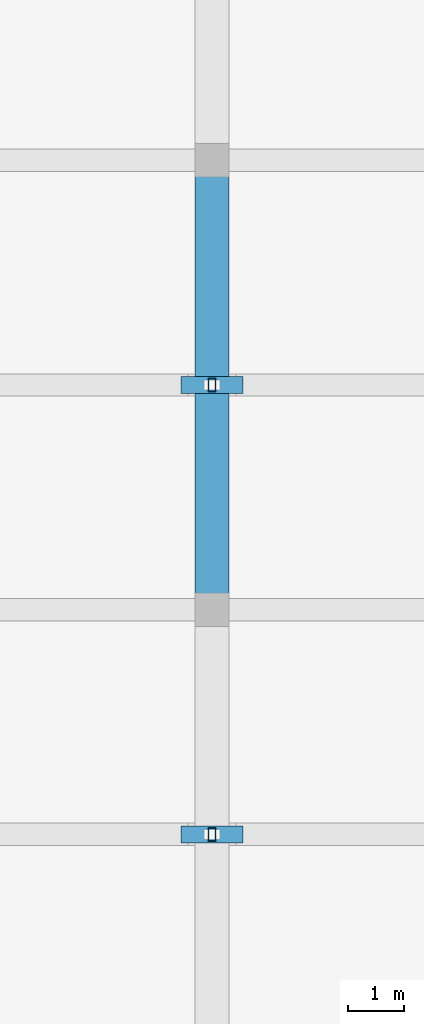
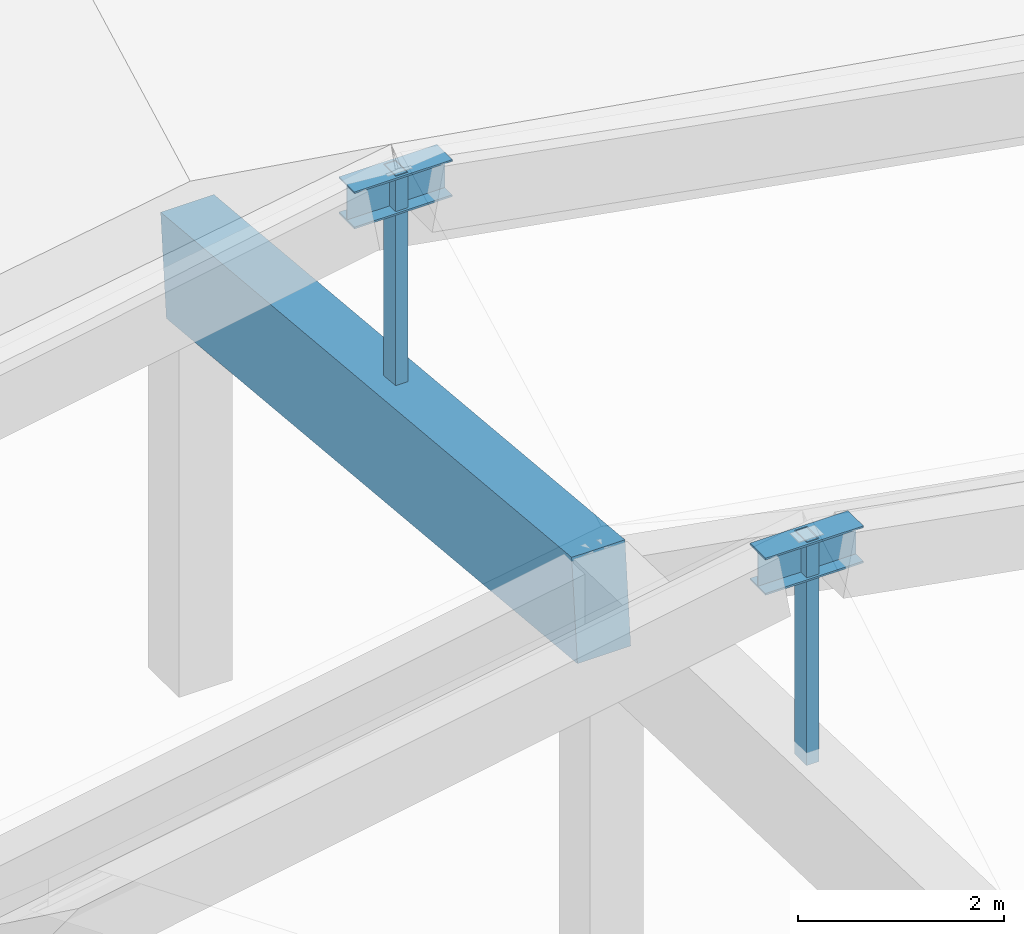
# One storey, part 35 of 109: 4 members, 1 beam.
"""IFC4 building model written with IfcOpenShell, lengths in metres."""

from ifc_helpers import new_model, si_unit, direction, frame, origin, origin_2d, place, context, subcontext, project, spatial, rectangle, hollow_rectangle, i_section, extrude, material, material_profile, profile_set, type_object, element, save


model = new_model("IFC4")

# Units and contexts
model_context = context("Model", 3, precision=1e-05, world=origin(), true_north=direction((0.0, 1.0)))
body_context = subcontext(model_context, "Body", "Model", "MODEL_VIEW")
ifc_project = project(units=[si_unit("LENGTHUNIT", "METRE"), si_unit("AREAUNIT", "SQUARE_METRE"), si_unit("VOLUMEUNIT", "CUBIC_METRE"), si_unit("PLANEANGLEUNIT", "RADIAN"), si_unit("MASSUNIT", "GRAM", prefix="KILO")], contexts=[model_context])

# Site, building, storey
site_placement = place(None, origin())
site = spatial("IfcSite", under=ifc_project, at=site_placement, CompositionType="ELEMENT")
building_placement = place(site_placement, origin())
building = spatial("IfcBuilding", under=site, at=building_placement, Name="Zavelmont Quarter", CompositionType="ELEMENT")
storey_placement = place(building_placement, frame((0.0, 0.0, 8.0)))
storey = spatial("IfcBuildingStorey", under=building, at=storey_placement, Name="L02", CompositionType="ELEMENT", Elevation=8.0)

# Beam
ifc_material_1 = material(Name="Concrete C40/50", Category="concrete")
ifc_material_profile_1 = material_profile(ifc_material_1, rectangle(XDim=0.60009765625, YDim=1.199951171875, at=origin_2d()), Name="RC600X1200")
ifc_profile_set_1 = profile_set([ifc_material_profile_1], Name="Concrete C40/50")
beam_type = type_object("IfcBeamType", Name="BM07", PredefinedType="BEAM", material=ifc_profile_set_1)
beam_placement = place(storey_placement, frame((84.0, 70.0, 5.705078125), z_axis=(0.0, 0.995634226059, -0.093340708693), x_axis=(-1.0, 0.0, 0.0)))
element("IfcBeam", 1, at=beam_placement, inside=storey, type_object=beam_type, Name="L02 beam BM07 13/L to 13/M", PredefinedType="BEAM", context=body_context, shape_type="SweptSolid", body=[
    extrude(rectangle(XDim=0.60009765625, YDim=1.199951171875, at=origin_2d()), origin(), (0.0, 0.0, 1.0), 8.03515625),
])

# Members
ifc_material_2 = material(Name="Steel S355", Category="steel")
ifc_material_profile_2 = material_profile(ifc_material_2, hollow_rectangle(XDim=0.139892578125, YDim=0.239990234375, WallThickness=0.010009765625, at=origin_2d()), Name="RHS 240X140X10")
ifc_profile_set_2 = profile_set([ifc_material_profile_2], Name="Steel S355")
member_type_1 = type_object("IfcMemberType", Name="CLM1", PredefinedType="CHORD", material=ifc_profile_set_2)
for number, where, z_axis, x_axis, name in (
    (2, (84.0, 66.0, 6.280029296875), (0.0, 0.0, 1.0), (1.0, 0.0, 0.0), "L02 member CLM1 13/K to 13/K"),
    (3, (84.0, 74.0, 5.780029296875), (0.0, 0.0, 1.0), (1.0, 0.0, 0.0), "L02 member CLM1 13/L to 13/L"),
):
    element("IfcMember", number, at=place(storey_placement, frame(where, z_axis=z_axis, x_axis=x_axis)), inside=storey, type_object=member_type_1, Name=name, PredefinedType="CHORD", context=body_context, shape_type="SweptSolid", body=[
        extrude(hollow_rectangle(XDim=0.139892578125, YDim=0.239990234375, WallThickness=0.010009765625, at=origin_2d()), origin(), (0.0, 0.0, 1.0), 2.64990234375),
    ])
ifc_material_profile_3 = material_profile(ifc_material_2, i_section(OverallWidth=0.300048828125, OverallDepth=0.43994140625, WebThickness=0.011474609375, FlangeThickness=0.02099609375, at=origin_2d()), Name="HEA 450")
ifc_profile_set_3 = profile_set([ifc_material_profile_3], Name="Steel S355")
member_type_2 = type_object("IfcMemberType", Name="RFM1", PredefinedType="RAFTER", material=ifc_profile_set_3)
for number, where, z_axis, x_axis, name in (
    (4, (83.449951171875, 66.0, 8.7099609375), (1.0, 0.0, 0.0), (0.0, 1.0, 0.0), "L02 member RFM1 13/K to 13/K"),
    (5, (83.449951171875, 74.0, 8.2099609375), (1.0, 0.0, 0.0), (0.0, 1.0, 0.0), "L02 member RFM1 13/L to 13/L"),
):
    element("IfcMember", number, at=place(storey_placement, frame(where, z_axis=z_axis, x_axis=x_axis)), inside=storey, type_object=member_type_2, Name=name, PredefinedType="RAFTER", context=body_context, shape_type="SweptSolid", body=[
        extrude(i_section(OverallWidth=0.300048828125, OverallDepth=0.43994140625, WebThickness=0.011474609375, FlangeThickness=0.02099609375, at=origin_2d()), origin(), (0.0, 0.0, 1.0), 1.10009765625),
    ])

save(model, "model.ifc")
